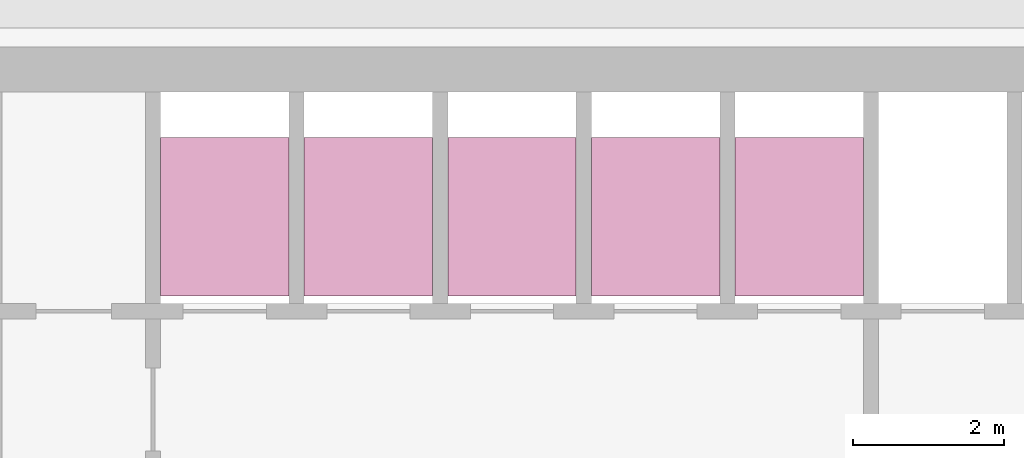
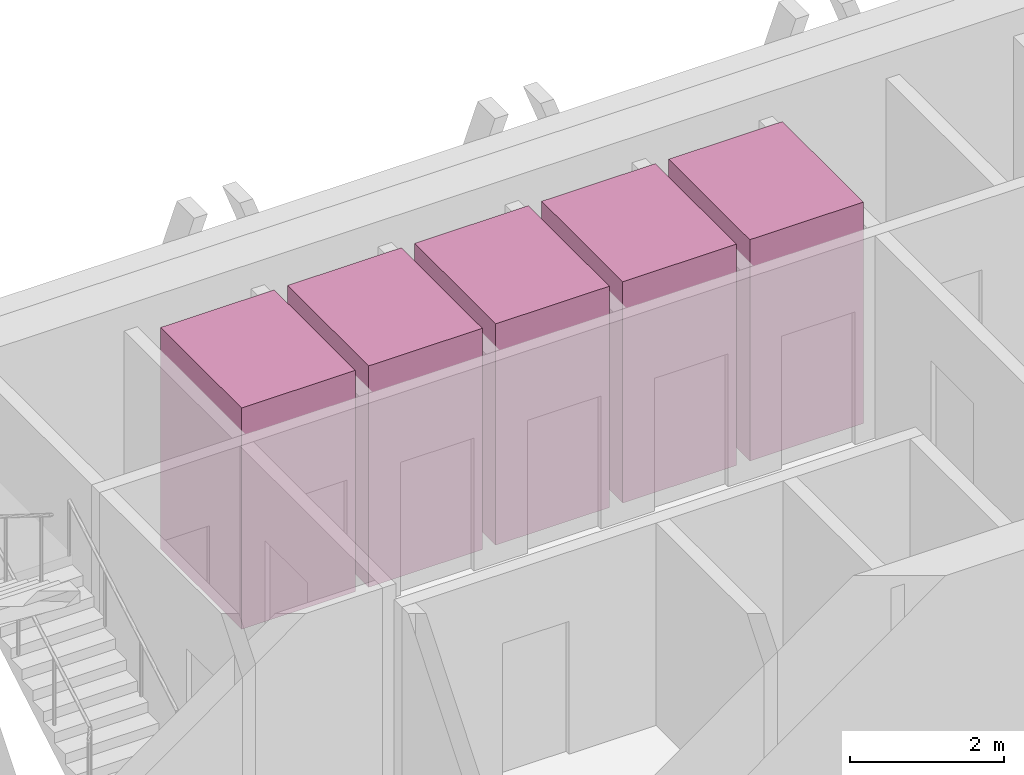
# One storey, part 14 of 14: 5 transport elements.
"""IFC4 building model written with IfcOpenShell, lengths in metres."""

import ifcopenshell
import ifcopenshell.guid

model = None  # the IFC model being written
_history = None  # IfcOwnerHistory: only IFC2X3 demands one
_inside = {}  # id of a spatial element -> (the spatial element, [elements in it])
_under = {}  # id of a project, library or spatial element -> (it, [spatial elements below it])
_declared = {}  # id of a project -> (the project, [libraries it declares])
_typed = {}  # id of a type object -> (the type object, [elements of that type])
_made_of = {}  # id of a material, layer set ... -> (it, [elements and type objects made of it])


def new_model(schema):
    """Start an empty IFC model of exactly this schema.

    Asked for "IFC4X3", IfcOpenShell would pick the latest addendum, in which some entities
    have other attributes; the version numbers below select the first issue.
    IFC2X3 requires an IfcOwnerHistory on every rooted entity: one is made here for all.
    """
    global model, _history
    if schema == "IFC4X3":
        model = ifcopenshell.file(schema_version=(4, 3, 0, 0))
    else:
        model = ifcopenshell.file(schema=schema)
    _inside.clear()
    _under.clear()
    _declared.clear()
    _typed.clear()
    _made_of.clear()
    _history = None
    if model.schema == "IFC2X3":
        org = make("IfcOrganization", Name="unknown")
        user = make(
            "IfcPersonAndOrganization",
            ThePerson=make("IfcPerson", FamilyName="unknown"),
            TheOrganization=org,
        )
        app = make(
            "IfcApplication",
            ApplicationDeveloper=org,
            Version="unknown",
            ApplicationFullName="unknown",
            ApplicationIdentifier="unknown",
        )
        _history = make(
            "IfcOwnerHistory",
            OwningUser=user,
            OwningApplication=app,
            ChangeAction="ADDED",
            CreationDate=0,
        )
    return model


def make(cls, **values):
    """One entity of the class cls with the attributes given. An attribute that is None is left unset."""
    return model.create_entity(
        cls, **{name: value for name, value in values.items() if value is not None}
    )


def rooted(cls, **values):
    """An entity with a GlobalId (a new one), such as an element, a storey or a relation."""
    return make(cls, GlobalId=ifcopenshell.guid.new(), OwnerHistory=_history, **values)


def si_unit(unit_type, name, prefix=None):
    """IfcSIUnit, for example si_unit("LENGTHUNIT", "METRE", prefix="MILLI")."""
    return make("IfcSIUnit", UnitType=unit_type, Prefix=prefix, Name=name)


def assignment(units):
    """IfcUnitAssignment: the units of a project."""
    return None if units is None else make("IfcUnitAssignment", Units=units)


def point(xyz):
    """IfcCartesianPoint."""
    return None if xyz is None else make("IfcCartesianPoint", Coordinates=xyz)


def direction(xyz):
    """IfcDirection."""
    return None if xyz is None else make("IfcDirection", DirectionRatios=xyz)


def frame(location, z_axis=None, x_axis=None):
    """IfcAxis2Placement3D, a coordinate frame: its origin and axes. An axis left out is left unset."""
    return make(
        "IfcAxis2Placement3D",
        Location=point(location),
        Axis=direction(z_axis),
        RefDirection=direction(x_axis),
    )


def frame_2d(location, x_axis=None):
    """IfcAxis2Placement2D, a coordinate frame in the plane: its origin and x axis."""
    return make(
        "IfcAxis2Placement2D", Location=point(location), RefDirection=direction(x_axis)
    )


def origin():
    """The frame at (0, 0, 0) with its axes left unset."""
    return frame((0.0, 0.0, 0.0))


def origin_2d():
    """The frame at (0, 0) in the plane with its x axis left unset."""
    return frame_2d((0.0, 0.0))


def place(relative_to, where):
    """IfcLocalPlacement: puts the frame where relative to a parent placement (None: the world)."""
    return make(
        "IfcLocalPlacement", PlacementRelTo=relative_to, RelativePlacement=where
    )


def context(
    kind, dimensions, precision=None, world=None, true_north=None, identifier=None
):
    """IfcGeometricRepresentationContext, for example the 3D "Model" context."""
    return make(
        "IfcGeometricRepresentationContext",
        ContextIdentifier=identifier,
        ContextType=kind,
        CoordinateSpaceDimension=dimensions,
        Precision=precision,
        WorldCoordinateSystem=world,
        TrueNorth=true_north,
    )


def subcontext(parent, identifier, kind, view, scale=None):
    """IfcGeometricRepresentationSubContext, for example "Body" below "Model"."""
    return make(
        "IfcGeometricRepresentationSubContext",
        ContextIdentifier=identifier,
        ContextType=kind,
        ParentContext=parent,
        TargetScale=scale,
        TargetView=view,
    )


def project(units=None, contexts=None):
    """IfcProject with its units and contexts."""
    return rooted(
        "IfcProject",
        Name="project",
        RepresentationContexts=contexts,
        UnitsInContext=assignment(units),
    )


def spatial(cls, under=None, at=None, **own):
    """A site, building, storey or space (cls), placed at a placement, below another one or the project."""
    s = rooted(cls, ObjectPlacement=at, **own)
    if under is not None:
        _under.setdefault(under.id(), (under, []))[1].append(s)
    return s


def profile(cls, at=None, kind="AREA", **sizes):
    """A parametric profile (cls). Its sizes go by their IFC names, for example OverallWidth=200.0."""
    return make(cls, ProfileType=kind, Position=at, **sizes)


def rectangle(**sizes):
    """IfcRectangleProfileDef."""
    return profile("IfcRectangleProfileDef", **sizes)


def extrude(swept, where, along, depth):
    """IfcExtrudedAreaSolid: the profile swept, set in the frame where, extruded along a direction by depth."""
    return make(
        "IfcExtrudedAreaSolid",
        SweptArea=swept,
        Position=where,
        ExtrudedDirection=direction(along),
        Depth=depth,
    )


def shape(context_of_items, identifier, shape_type, items):
    """IfcShapeRepresentation: the items that make up one representation, for example the "Body"."""
    return make(
        "IfcShapeRepresentation",
        ContextOfItems=context_of_items,
        RepresentationIdentifier=identifier,
        RepresentationType=shape_type,
        Items=items,
    )


def material(Name=None, Category=None):
    """IfcMaterial."""
    return make("IfcMaterial", Name=Name, Category=Category)


def made_of(thing, what):
    """Note that an element or type object is made of a material, layer set ...; save() writes the relation."""
    if what is not None:
        _made_of.setdefault(what.id(), (what, []))[1].append(thing)
    return thing


def type_object(cls, material=None, **own):
    """A type object (cls), such as IfcWallType, which elements share."""
    return made_of(rooted(cls, **own), material)


def element(
    cls,
    number,
    at=None,
    inside=None,
    cuts=None,
    type_object=None,
    material=None,
    context=None,
    identifier="Body",
    shape_type=None,
    held_by="IfcProductDefinitionShape",
    body=None,
    shapes=None,
    **own,
):
    """One element of the class cls, such as IfcWall. Its Tag is "e" and its number.

    at: its placement. inside: the storey or other place that contains it. cuts: it is an
    opening in that element (IfcRelVoidsElement). A single representation is given by context,
    identifier, shape_type and body (its items); several are given by shapes. held_by: the class
    of the entity that holds the representations. save() writes the other relations.
    """
    e = rooted(cls, Tag="e%d" % number, ObjectPlacement=at, **own)
    if body is not None:
        shapes = [shape(context, identifier, shape_type, body)]
    if shapes is not None:
        e.Representation = make(held_by, Representations=shapes)
    if inside is not None:
        _inside.setdefault(inside.id(), (inside, []))[1].append(e)
    if cuts is not None:
        rooted(
            "IfcRelVoidsElement", RelatingBuildingElement=cuts, RelatedOpeningElement=e
        )
    if type_object is not None:
        _typed.setdefault(type_object.id(), (type_object, []))[1].append(e)
    return made_of(e, material)


def aggregate(whole, parts):
    """IfcRelAggregates: a whole, such as a stair, and the parts it consists of."""
    return rooted("IfcRelAggregates", RelatingObject=whole, RelatedObjects=parts)


def save(model, path):
    """Write the relations noted so far, then the file.

    IfcRelAggregates (storeys below a building ...), IfcRelContainedInSpatialStructure (elements
    in a storey), IfcRelDefinesByType, IfcRelAssociatesMaterial and IfcRelDeclares: one each for
    every whole, place, type object, material and project.
    """
    for whole, parts in _under.values():
        aggregate(whole, parts)
    for where, things in _inside.values():
        rooted(
            "IfcRelContainedInSpatialStructure",
            RelatedElements=things,
            RelatingStructure=where,
        )
    for kind, things in _typed.values():
        rooted("IfcRelDefinesByType", RelatedObjects=things, RelatingType=kind)
    for what, things in _made_of.values():
        rooted("IfcRelAssociatesMaterial", RelatedObjects=things, RelatingMaterial=what)
    for by, libraries in _declared.values():
        rooted("IfcRelDeclares", RelatingContext=by, RelatedDefinitions=libraries)
    model.write(path)


model = new_model("IFC4")

# Units and contexts
model_context = context("Model", 3, precision=1e-05, world=origin(), true_north=direction((0.0, 1.0)))
body_context = subcontext(model_context, "Body", "Model", "MODEL_VIEW")
ifc_project = project(units=[si_unit("LENGTHUNIT", "METRE"), si_unit("AREAUNIT", "SQUARE_METRE"), si_unit("VOLUMEUNIT", "CUBIC_METRE"), si_unit("PLANEANGLEUNIT", "RADIAN"), si_unit("MASSUNIT", "GRAM", prefix="KILO")], contexts=[model_context])

# Site, building, storey
site_placement = place(None, origin())
site = spatial("IfcSite", under=ifc_project, at=site_placement, CompositionType="ELEMENT")
building_placement = place(site_placement, origin())
building = spatial("IfcBuilding", under=site, at=building_placement, Name="Altiplano Prism Tower", CompositionType="ELEMENT")
storey_placement = place(building_placement, frame((0.0, 0.0, 239.199951171875)))
storey = spatial("IfcBuildingStorey", under=building, at=storey_placement, Name="L61", CompositionType="ELEMENT", Elevation=239.199951171875)

# Transport elements
ifc_material = material(Name="Stainless steel lift car", Category="steel")
transport_element_type = type_object("IfcTransportElementType", Name="Passenger lift car 1600 x 2100", PredefinedType="ELEVATOR", material=ifc_material)
for number, where, z_axis, x_axis, name in (
    (1, (79.050048828125, 101.75, 0.050048828125), (0.0, 0.0, 1.0), (1.0, 0.0, 0.0), "High Zone Passenger Lift 1"),
    (2, (80.949951171875, 101.75, 0.050048828125), (0.0, 0.0, 1.0), (1.0, 0.0, 0.0), "High Zone Passenger Lift 2"),
    (3, (82.85009765625, 101.75, 0.050048828125), (0.0, 0.0, 1.0), (1.0, 0.0, 0.0), "High Zone Passenger Lift 3"),
    (4, (84.75, 101.75, 0.050048828125), (0.0, 0.0, 1.0), (1.0, 0.0, 0.0), "High Zone Passenger Lift 4"),
    (5, (86.64990234375, 101.75, 0.050048828125), (0.0, 0.0, 1.0), (1.0, 0.0, 0.0), "High Zone Passenger Lift 5"),
):
    element("IfcTransportElement", number, at=place(storey_placement, frame(where, z_axis=z_axis, x_axis=x_axis)), inside=storey, type_object=transport_element_type, Name=name, PredefinedType="ELEVATOR", context=body_context, shape_type="SweptSolid", body=[
        extrude(rectangle(XDim=1.699951171875, YDim=2.10009765625, at=origin_2d()), origin(), (0.0, 0.0, 1.0), 3.5),
    ])

save(model, "model.ifc")
